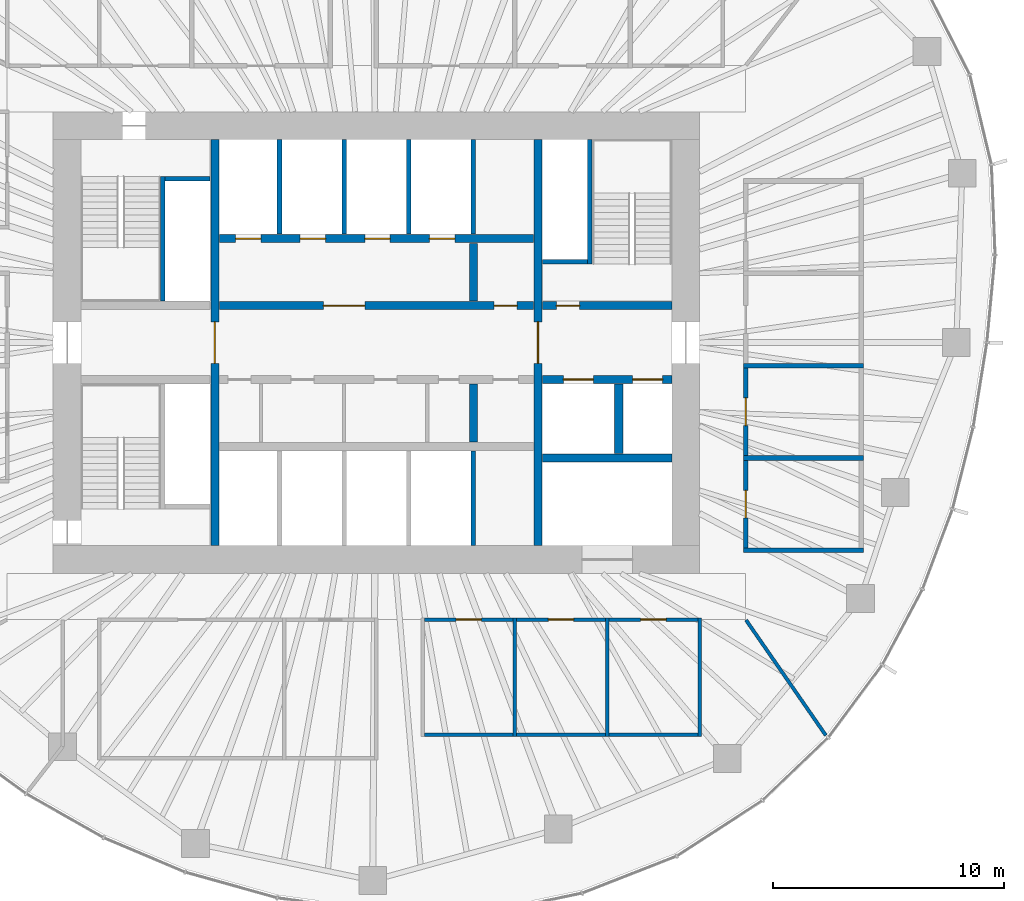
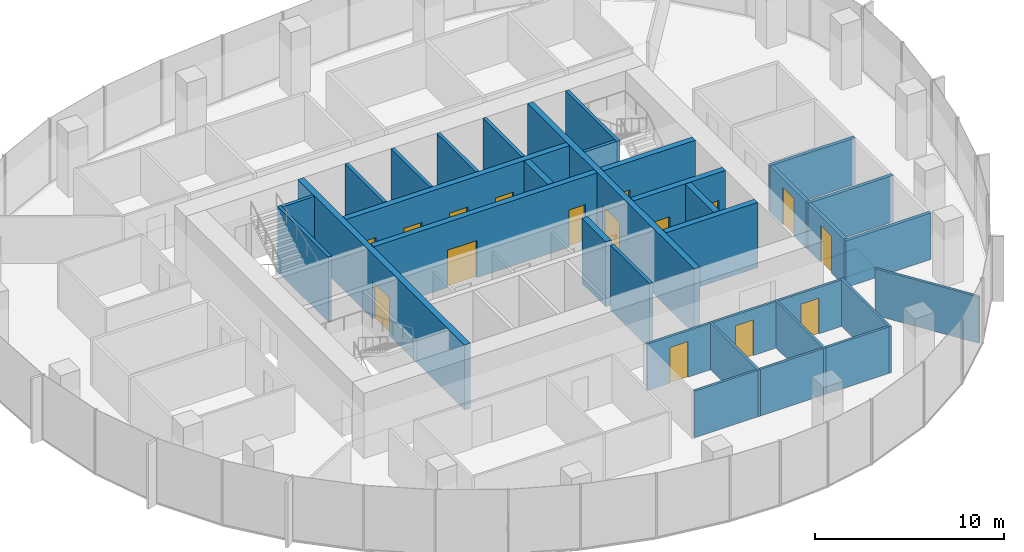
# One storey, part 9 of 12: 34 walls, 16 doors, 16 openings.
"""IFC4 building model written with IfcOpenShell, lengths in metres."""

from ifc_helpers import new_model, si_unit, direction, frame, frame_2d, origin, place, context, subcontext, project, spatial, rectangle, extrude, material, layer, layer_set, type_object, element, fill, save


model = new_model("IFC4")

# Units and contexts
model_context = context("Model", 3, precision=1e-05, world=origin(), true_north=direction((0.0, 1.0)))
body_context = subcontext(model_context, "Body", "Model", "MODEL_VIEW")
ifc_project = project(units=[si_unit("LENGTHUNIT", "METRE"), si_unit("AREAUNIT", "SQUARE_METRE"), si_unit("VOLUMEUNIT", "CUBIC_METRE"), si_unit("PLANEANGLEUNIT", "RADIAN"), si_unit("MASSUNIT", "GRAM", prefix="KILO")], contexts=[model_context])

# Site, building, storey
site_placement = place(None, origin())
site = spatial("IfcSite", under=ifc_project, at=site_placement, CompositionType="ELEMENT")
building_placement = place(site_placement, origin())
building = spatial("IfcBuilding", under=site, at=building_placement, Name="Ghaith Harvest Tower", CompositionType="ELEMENT")
storey_placement = place(building_placement, frame((0.0, 0.0, 236.800048828125)))
storey = spatial("IfcBuildingStorey", under=building, at=storey_placement, Name="L52", CompositionType="ELEMENT", Elevation=236.800048828125)

# Walls
ifc_material_1 = material(Name="Twin-stud gypsum board, acoustic", Category="gypsum")
ifc_layer_1 = layer(ifc_material_1, 0.199951171875)
ifc_layer_set_1 = layer_set([ifc_layer_1], Name="ACOUSTIC PARTITION 200")
wall_type_1 = type_object("IfcWallType", Name="ACOUSTIC PARTITION 200", PredefinedType="PARTITIONING", material=ifc_layer_set_1)
for number, where, z_axis, x_axis, name in (
    (1, (15.89990234375, -9.0, 0.0), (0.0, 0.0, 1.0), (1.0, 0.0, 0.0), "Partition L52 row E5 cross wall 1"),
    (2, (15.89990234375, -5.0, 0.0), (0.0, 0.0, 1.0), (1.0, 0.0, 0.0), "Partition L52 row E5 cross wall 2"),
    (3, (15.89990234375, -1.0, 0.0), (0.0, 0.0, 1.0), (1.0, 0.0, 0.0), "Partition L52 row E5 cross wall 3"),
):
    element("IfcWall", number, at=place(storey_placement, frame(where, z_axis=z_axis, x_axis=x_axis)), inside=storey, type_object=wall_type_1, Name=name, PredefinedType="PARTITIONING", context=body_context, shape_type="SweptSolid", body=[
        extrude(rectangle(XDim=5.2001953125, YDim=0.199951171875, at=frame_2d((2.60009765625, 0.0))), origin(), (0.0, 0.0, 1.0), 3.0),
    ])

# Wall, opening, door
wall_1_placement = place(storey_placement, frame((16.0, -8.89990234375, 0.0), z_axis=(0.0, 0.0, 1.0), x_axis=(0.0, 1.0, 0.0)))
wall_1 = element("IfcWall", 4, at=wall_1_placement, inside=storey, type_object=wall_type_1, Name="Partition L52-12", PredefinedType="PARTITIONING", context=body_context, shape_type="SweptSolid", body=[
    extrude(rectangle(XDim=3.7998046875, YDim=0.199951171875, at=frame_2d((1.89990234375, 0.0))), origin(), (0.0, 0.0, 1.0), 3.0),
])
opening_1_placement = place(wall_1_placement, frame((1.300048828125, 0.0, 0.0)))
opening_1 = element("IfcOpeningElement", 5, at=opening_1_placement, cuts=wall_1, Name="Opening 52-033", PredefinedType="OPENING", context=body_context, shape_type="SweptSolid", body=[
    extrude(rectangle(XDim=1.199951171875, YDim=2.39990234375, at=frame_2d((0.60009765625, 1.199951171875))), frame((0.0, 0.10986328125, 0.0), z_axis=(0.0, -1.0, 0.0), x_axis=(1.0, 0.0, 0.0)), (0.0, 0.0, 1.0), 0.219970703125),
])
ifc_material_2 = material(Name="Timber door", Category="wood")
door_type_1 = type_object("IfcDoorType", Name="D11 GLAZED 1200x2400", OperationType="SINGLE_SWING_LEFT", PredefinedType="DOOR", material=ifc_material_2)
door_1_placement = place(opening_1_placement, origin())
door_1 = element("IfcDoor", 6, at=door_1_placement, inside=storey, type_object=door_type_1, Name="Meeting room door", OperationType="SINGLE_SWING_LEFT", OverallHeight=2.39990234375, OverallWidth=1.199951171875, PredefinedType="DOOR", context=body_context, shape_type="SweptSolid", body=[
    extrude(rectangle(XDim=1.199951171875, YDim=2.39990234375, at=frame_2d((0.60009765625, 1.199951171875))), frame((0.0, 0.02490234375, 0.0), z_axis=(0.0, -1.0, 0.0), x_axis=(1.0, 0.0, 0.0)), (0.0, 0.0, 1.0), 0.050048828125),
])
fill(opening_1, door_1)

wall_2_placement = place(storey_placement, frame((16.0, -4.89990234375, 0.0), z_axis=(0.0, 0.0, 1.0), x_axis=(0.0, 1.0, 0.0)))
wall_2 = element("IfcWall", 7, at=wall_2_placement, inside=storey, type_object=wall_type_1, Name="Partition L52-13", PredefinedType="PARTITIONING", context=body_context, shape_type="SweptSolid", body=[
    extrude(rectangle(XDim=3.7998046875, YDim=0.199951171875, at=frame_2d((1.89990234375, 0.0))), origin(), (0.0, 0.0, 1.0), 3.0),
])
opening_2_placement = place(wall_2_placement, frame((1.300048828125, 0.0, 0.0)))
opening_2 = element("IfcOpeningElement", 8, at=opening_2_placement, cuts=wall_2, Name="Opening 52-034", PredefinedType="OPENING", context=body_context, shape_type="SweptSolid", body=[
    extrude(rectangle(XDim=1.199951171875, YDim=2.39990234375, at=frame_2d((0.60009765625, 1.199951171875))), frame((0.0, 0.10986328125, 0.0), z_axis=(0.0, -1.0, 0.0), x_axis=(1.0, 0.0, 0.0)), (0.0, 0.0, 1.0), 0.219970703125),
])
door_2_placement = place(opening_2_placement, origin())
door_2 = element("IfcDoor", 9, at=door_2_placement, inside=storey, type_object=door_type_1, Name="Meeting room door", OperationType="SINGLE_SWING_LEFT", OverallHeight=2.39990234375, OverallWidth=1.199951171875, PredefinedType="DOOR", context=body_context, shape_type="SweptSolid", body=[
    extrude(rectangle(XDim=1.199951171875, YDim=2.39990234375, at=frame_2d((0.60009765625, 1.199951171875))), frame((0.0, 0.02490234375, 0.0), z_axis=(0.0, -1.0, 0.0), x_axis=(1.0, 0.0, 0.0)), (0.0, 0.0, 1.0), 0.050048828125),
])
fill(opening_2, door_2)

# Walls
ifc_material_3 = material(Name="Concrete blockwork, 2-hour", Category="masonry")
ifc_layer_2 = layer(ifc_material_3, 0.199951171875)
ifc_layer_set_2 = layer_set([ifc_layer_2], Name="LIFT SHAFT WALL 200")
wall_type_2 = type_object("IfcWallType", Name="LIFT SHAFT WALL 200", PredefinedType="PARTITIONING", material=ifc_layer_set_2)
for number, where, z_axis, x_axis, name in (
    (10, (-4.199951171875, 4.699951171875, 0.0), (0.0, 0.0, 1.0), (0.0, 1.0, 0.0), "Lift shaft wall L52"),
    (11, (-1.39990234375, 4.699951171875, 0.0), (0.0, 0.0, 1.0), (0.0, 1.0, 0.0), "Lift shaft wall L52"),
    (12, (1.39990234375, 4.699951171875, 0.0), (0.0, 0.0, 1.0), (0.0, 1.0, 0.0), "Lift shaft wall L52"),
    (13, (4.199951171875, 4.699951171875, 0.0), (0.0, 0.0, 1.0), (0.0, 1.0, 0.0), "Lift shaft wall L52"),
    (14, (4.199951171875, -4.699951171875, 0.0), (0.0, 0.0, 1.0), (0.0, -1.0, 0.0), "Lift shaft wall L52"),
):
    element("IfcWall", number, at=place(storey_placement, frame(where, z_axis=z_axis, x_axis=x_axis)), inside=storey, type_object=wall_type_2, Name=name, PredefinedType="PARTITIONING", context=body_context, shape_type="SweptSolid", body=[
        extrude(rectangle(XDim=4.10009765625, YDim=0.199951171875, at=frame_2d((2.050048828125, 0.0))), origin(), (0.0, 0.0, 1.0), 4.199951171875),
    ])
ifc_material_4 = material(Name="Gypsum board on steel studs", Category="steel")
ifc_layer_3 = layer(ifc_material_4, 0.14990234375)
ifc_layer_set_3 = layer_set([ifc_layer_3], Name="PARTITION 150")
wall_type_3 = type_object("IfcWallType", Name="PARTITION 150", PredefinedType="PARTITIONING", material=ifc_layer_set_3)
for number, where, z_axis, x_axis, name in (
    (15, (6.0, -11.925048828125, 0.0), (0.0, 0.0, 1.0), (0.0, -1.0, 0.0), "Partition L52 row S2 cross wall 2"),
    (16, (10.0, -11.925048828125, 0.0), (0.0, 0.0, 1.0), (0.0, -1.0, 0.0), "Partition L52 row S2 cross wall 3"),
    (17, (14.0, -11.925048828125, 0.0), (0.0, 0.0, 1.0), (0.0, -1.0, 0.0), "Partition L52 row S2 cross wall 4"),
):
    element("IfcWall", number, at=place(storey_placement, frame(where, z_axis=z_axis, x_axis=x_axis)), inside=storey, type_object=wall_type_3, Name=name, PredefinedType="PARTITIONING", context=body_context, shape_type="SweptSolid", body=[
        extrude(rectangle(XDim=5.14990234375, YDim=0.14990234375, at=frame_2d((2.574951171875, 0.0))), origin(), (0.0, 0.0, 1.0), 3.0),
    ])

# Wall, opening, door
wall_3_placement = place(storey_placement, frame((2.074951171875, -12.0, 0.0), z_axis=(0.0, 0.0, 1.0), x_axis=(1.0, 0.0, 0.0)))
wall_3 = element("IfcWall", 18, at=wall_3_placement, inside=storey, type_object=wall_type_3, Name="Partition L52-03", PredefinedType="PARTITIONING", context=body_context, shape_type="SweptSolid", body=[
    extrude(rectangle(XDim=3.85009765625, YDim=0.14990234375, at=frame_2d((1.925048828125, 0.0))), origin(), (0.0, 0.0, 1.0), 3.0),
])
opening_3_placement = place(wall_3_placement, frame((1.375, 0.0, 0.0)))
opening_3 = element("IfcOpeningElement", 19, at=opening_3_placement, cuts=wall_3, Name="Opening 52-024", PredefinedType="OPENING", context=body_context, shape_type="SweptSolid", body=[
    extrude(rectangle(XDim=1.10009765625, YDim=2.300048828125, at=frame_2d((0.550048828125, 1.14990234375))), frame((0.0, 0.0849609375, 0.0), z_axis=(0.0, -1.0, 0.0), x_axis=(1.0, 0.0, 0.0)), (0.0, 0.0, 1.0), 0.169921875),
])
ifc_material_5 = material(Name="Timber-framed glazed door", Category="wood")
door_type_2 = type_object("IfcDoorType", Name="D12 GLAZED OFFICE 1100x2300", OperationType="SINGLE_SWING_LEFT", PredefinedType="DOOR", material=ifc_material_5)
door_3_placement = place(opening_3_placement, origin())
door_3 = element("IfcDoor", 20, at=door_3_placement, inside=storey, type_object=door_type_2, Name="Office door", OperationType="SINGLE_SWING_LEFT", OverallHeight=2.300048828125, OverallWidth=1.10009765625, PredefinedType="DOOR", context=body_context, shape_type="SweptSolid", body=[
    extrude(rectangle(XDim=1.10009765625, YDim=2.300048828125, at=frame_2d((0.550048828125, 1.14990234375))), frame((0.0, 0.02490234375, 0.0), z_axis=(0.0, -1.0, 0.0), x_axis=(1.0, 0.0, 0.0)), (0.0, 0.0, 1.0), 0.050048828125),
])
fill(opening_3, door_3)

# Wall
wall_4_placement = place(storey_placement, frame((2.074951171875, -17.0, 0.0), z_axis=(0.0, 0.0, 1.0), x_axis=(1.0, 0.0, 0.0)))
element("IfcWall", 21, at=wall_4_placement, inside=storey, type_object=wall_type_3, Name="Partition L52-03", PredefinedType="PARTITIONING", context=body_context, shape_type="SweptSolid", body=[
    extrude(rectangle(XDim=3.85009765625, YDim=0.14990234375, at=frame_2d((1.925048828125, 0.0))), origin(), (0.0, 0.0, 1.0), 3.0),
])

# Wall, opening, door
wall_5_placement = place(storey_placement, frame((6.074951171875, -12.0, 0.0), z_axis=(0.0, 0.0, 1.0), x_axis=(1.0, 0.0, 0.0)))
wall_5 = element("IfcWall", 22, at=wall_5_placement, inside=storey, type_object=wall_type_3, Name="Partition L52-04", PredefinedType="PARTITIONING", context=body_context, shape_type="SweptSolid", body=[
    extrude(rectangle(XDim=3.85009765625, YDim=0.14990234375, at=frame_2d((1.925048828125, 0.0))), origin(), (0.0, 0.0, 1.0), 3.0),
])
opening_4_placement = place(wall_5_placement, frame((1.375, 0.0, 0.0)))
opening_4 = element("IfcOpeningElement", 23, at=opening_4_placement, cuts=wall_5, Name="Opening 52-025", PredefinedType="OPENING", context=body_context, shape_type="SweptSolid", body=[
    extrude(rectangle(XDim=1.10009765625, YDim=2.300048828125, at=frame_2d((0.550048828125, 1.14990234375))), frame((0.0, 0.0849609375, 0.0), z_axis=(0.0, -1.0, 0.0), x_axis=(1.0, 0.0, 0.0)), (0.0, 0.0, 1.0), 0.169921875),
])
door_4_placement = place(opening_4_placement, origin())
door_4 = element("IfcDoor", 24, at=door_4_placement, inside=storey, type_object=door_type_2, Name="Office door", OperationType="SINGLE_SWING_LEFT", OverallHeight=2.300048828125, OverallWidth=1.10009765625, PredefinedType="DOOR", context=body_context, shape_type="SweptSolid", body=[
    extrude(rectangle(XDim=1.10009765625, YDim=2.300048828125, at=frame_2d((0.550048828125, 1.14990234375))), frame((0.0, 0.02490234375, 0.0), z_axis=(0.0, -1.0, 0.0), x_axis=(1.0, 0.0, 0.0)), (0.0, 0.0, 1.0), 0.050048828125),
])
fill(opening_4, door_4)

# Wall
wall_6_placement = place(storey_placement, frame((6.074951171875, -17.0, 0.0), z_axis=(0.0, 0.0, 1.0), x_axis=(1.0, 0.0, 0.0)))
element("IfcWall", 25, at=wall_6_placement, inside=storey, type_object=wall_type_3, Name="Partition L52-04", PredefinedType="PARTITIONING", context=body_context, shape_type="SweptSolid", body=[
    extrude(rectangle(XDim=3.85009765625, YDim=0.14990234375, at=frame_2d((1.925048828125, 0.0))), origin(), (0.0, 0.0, 1.0), 3.0),
])

# Wall, opening, door
wall_7_placement = place(storey_placement, frame((10.074951171875, -12.0, 0.0), z_axis=(0.0, 0.0, 1.0), x_axis=(1.0, 0.0, 0.0)))
wall_7 = element("IfcWall", 26, at=wall_7_placement, inside=storey, type_object=wall_type_3, Name="Partition L52-05", PredefinedType="PARTITIONING", context=body_context, shape_type="SweptSolid", body=[
    extrude(rectangle(XDim=3.85009765625, YDim=0.14990234375, at=frame_2d((1.925048828125, 0.0))), origin(), (0.0, 0.0, 1.0), 3.0),
])
opening_5_placement = place(wall_7_placement, frame((1.375, 0.0, 0.0)))
opening_5 = element("IfcOpeningElement", 27, at=opening_5_placement, cuts=wall_7, Name="Opening 52-026", PredefinedType="OPENING", context=body_context, shape_type="SweptSolid", body=[
    extrude(rectangle(XDim=1.10009765625, YDim=2.300048828125, at=frame_2d((0.550048828125, 1.14990234375))), frame((0.0, 0.0849609375, 0.0), z_axis=(0.0, -1.0, 0.0), x_axis=(1.0, 0.0, 0.0)), (0.0, 0.0, 1.0), 0.169921875),
])
door_5_placement = place(opening_5_placement, origin())
door_5 = element("IfcDoor", 28, at=door_5_placement, inside=storey, type_object=door_type_2, Name="Office door", OperationType="SINGLE_SWING_LEFT", OverallHeight=2.300048828125, OverallWidth=1.10009765625, PredefinedType="DOOR", context=body_context, shape_type="SweptSolid", body=[
    extrude(rectangle(XDim=1.10009765625, YDim=2.300048828125, at=frame_2d((0.550048828125, 1.14990234375))), frame((0.0, 0.02490234375, 0.0), z_axis=(0.0, -1.0, 0.0), x_axis=(1.0, 0.0, 0.0)), (0.0, 0.0, 1.0), 0.050048828125),
])
fill(opening_5, door_5)

# Walls
wall_8_placement = place(storey_placement, frame((10.074951171875, -17.0, 0.0), z_axis=(0.0, 0.0, 1.0), x_axis=(1.0, 0.0, 0.0)))
element("IfcWall", 29, at=wall_8_placement, inside=storey, type_object=wall_type_3, Name="Partition L52-05", PredefinedType="PARTITIONING", context=body_context, shape_type="SweptSolid", body=[
    extrude(rectangle(XDim=3.85009765625, YDim=0.14990234375, at=frame_2d((1.925048828125, 0.0))), origin(), (0.0, 0.0, 1.0), 3.0),
])
wall_9_placement = place(storey_placement, frame((16.011474609375, -12.016357421875, 0.0), z_axis=(0.0, 0.0, 1.0), x_axis=(0.568863489071, -0.822431961199, 0.0)))
element("IfcWall", 30, at=wall_9_placement, inside=storey, type_object=wall_type_3, Name="Partition L52 zone division", PredefinedType="PARTITIONING", context=body_context, shape_type="SweptSolid", body=[
    extrude(rectangle(XDim=6.0830078125, YDim=0.14990234375, at=frame_2d((3.04150390625, 0.0))), origin(), (0.0, 0.0, 1.0), 3.0),
])

# Wall, opening, door
ifc_material_6 = material(Name="Concrete C60/75", Category="concrete")
ifc_layer_4 = layer(ifc_material_6, 0.35009765625)
ifc_layer_set_4 = layer_set([ifc_layer_4], Name="SHAFT WALL 350")
wall_type_4 = type_object("IfcWallType", Name="SHAFT WALL 350", PredefinedType="SHEAR", material=ifc_layer_set_4)
wall_10_placement = place(storey_placement, frame((-7.0, -8.800048828125, 0.0), z_axis=(0.0, 0.0, 1.0), x_axis=(0.0, 1.0, 0.0)))
wall_10 = element("IfcWall", 31, at=wall_10_placement, inside=storey, type_object=wall_type_4, Name="Shaft wall W7W L52", PredefinedType="SHEAR", context=body_context, shape_type="SweptSolid", body=[
    extrude(rectangle(XDim=17.60009765625, YDim=0.35009765625, at=frame_2d((8.800048828125, 0.0))), origin(), (0.0, 0.0, 1.0), 4.199951171875),
])
opening_6_placement = place(wall_10_placement, frame((7.89990234375, 0.0, 0.0)))
opening_6 = element("IfcOpeningElement", 32, at=opening_6_placement, cuts=wall_10, Name="Opening 52-003", PredefinedType="OPENING", context=body_context, shape_type="SweptSolid", body=[
    extrude(rectangle(XDim=1.800048828125, YDim=2.39990234375, at=frame_2d((0.89990234375, 1.199951171875))), frame((0.0, 0.18505859375, 0.0), z_axis=(0.0, -1.0, 0.0), x_axis=(1.0, 0.0, 0.0)), (0.0, 0.0, 1.0), 0.3701171875),
])
ifc_material_7 = material(Name="Steel fire door", Category="steel")
door_type_3 = type_object("IfcDoorType", Name="D4 FD90 PAIR 1800x2400", OperationType="DOUBLE_DOOR_SINGLE_SWING", PredefinedType="DOOR", material=ifc_material_7)
door_6_placement = place(opening_6_placement, origin())
door_6 = element("IfcDoor", 33, at=door_6_placement, inside=storey, type_object=door_type_3, Name="Lift lobby doors, west", OperationType="DOUBLE_DOOR_SINGLE_SWING", OverallHeight=2.39990234375, OverallWidth=1.800048828125, PredefinedType="DOOR", context=body_context, shape_type="SweptSolid", body=[
    extrude(rectangle(XDim=1.800048828125, YDim=2.39990234375, at=frame_2d((0.89990234375, 1.199951171875))), frame((0.0, 0.02490234375, 0.0), z_axis=(0.0, -1.0, 0.0), x_axis=(1.0, 0.0, 0.0)), (0.0, 0.0, 1.0), 0.050048828125),
])
fill(opening_6, door_6)

wall_11_placement = place(storey_placement, frame((7.0, -8.800048828125, 0.0), z_axis=(0.0, 0.0, 1.0), x_axis=(0.0, 1.0, 0.0)))
wall_11 = element("IfcWall", 34, at=wall_11_placement, inside=storey, type_object=wall_type_4, Name="Shaft wall W7E L52", PredefinedType="SHEAR", context=body_context, shape_type="SweptSolid", body=[
    extrude(rectangle(XDim=17.60009765625, YDim=0.35009765625, at=frame_2d((8.800048828125, 0.0))), origin(), (0.0, 0.0, 1.0), 4.199951171875),
])
opening_7_placement = place(wall_11_placement, frame((7.89990234375, 0.0, 0.0)))
opening_7 = element("IfcOpeningElement", 35, at=opening_7_placement, cuts=wall_11, Name="Opening 52-004", PredefinedType="OPENING", context=body_context, shape_type="SweptSolid", body=[
    extrude(rectangle(XDim=1.800048828125, YDim=2.39990234375, at=frame_2d((0.89990234375, 1.199951171875))), frame((0.0, 0.18505859375, 0.0), z_axis=(0.0, -1.0, 0.0), x_axis=(1.0, 0.0, 0.0)), (0.0, 0.0, 1.0), 0.3701171875),
])
door_7_placement = place(opening_7_placement, origin())
door_7 = element("IfcDoor", 36, at=door_7_placement, inside=storey, type_object=door_type_3, Name="Lift lobby doors, east", OperationType="DOUBLE_DOOR_SINGLE_SWING", OverallHeight=2.39990234375, OverallWidth=1.800048828125, PredefinedType="DOOR", context=body_context, shape_type="SweptSolid", body=[
    extrude(rectangle(XDim=1.800048828125, YDim=2.39990234375, at=frame_2d((0.89990234375, 1.199951171875))), frame((0.0, 0.02490234375, 0.0), z_axis=(0.0, -1.0, 0.0), x_axis=(1.0, 0.0, 0.0)), (0.0, 0.0, 1.0), 0.050048828125),
])
fill(opening_7, door_7)

# Wall, openings, doors
wall_12_placement = place(storey_placement, frame((-6.800048828125, 1.60009765625, 0.0), z_axis=(0.0, 0.0, 1.0), x_axis=(1.0, 0.0, 0.0)))
wall_12 = element("IfcWall", 37, at=wall_12_placement, inside=storey, type_object=wall_type_4, Name="Shaft wall LN L52", PredefinedType="SHEAR", context=body_context, shape_type="SweptSolid", body=[
    extrude(rectangle(XDim=13.60009765625, YDim=0.35009765625, at=frame_2d((6.800048828125, 0.0))), origin(), (0.0, 0.0, 1.0), 4.199951171875),
])
opening_8_placement = place(wall_12_placement, frame((11.89990234375, 0.0, 0.0)))
opening_8 = element("IfcOpeningElement", 38, at=opening_8_placement, cuts=wall_12, Name="Opening 52-012", PredefinedType="OPENING", context=body_context, shape_type="SweptSolid", body=[
    extrude(rectangle(XDim=1.0, YDim=2.39990234375, at=frame_2d((0.5, 1.199951171875))), frame((0.0, 0.18505859375, 0.0), z_axis=(0.0, -1.0, 0.0), x_axis=(1.0, 0.0, 0.0)), (0.0, 0.0, 1.0), 0.3701171875),
])
opening_9_placement = place(wall_12_placement, frame((4.5, 0.0, 0.0)))
opening_9 = element("IfcOpeningElement", 39, at=opening_9_placement, cuts=wall_12, Name="Opening 52-014", PredefinedType="OPENING", context=body_context, shape_type="SweptSolid", body=[
    extrude(rectangle(XDim=1.800048828125, YDim=2.39990234375, at=frame_2d((0.89990234375, 1.199951171875))), frame((0.0, 0.18505859375, 0.0), z_axis=(0.0, -1.0, 0.0), x_axis=(1.0, 0.0, 0.0)), (0.0, 0.0, 1.0), 0.3701171875),
])
ifc_material_8 = material(Name="Steel fire door", Category="steel")
door_type_4 = type_object("IfcDoorType", Name="D3 FD90 1000x2400", OperationType="SINGLE_SWING_LEFT", PredefinedType="DOOR", material=ifc_material_8)
door_8_placement = place(opening_8_placement, origin())
door_8 = element("IfcDoor", 40, at=door_8_placement, inside=storey, type_object=door_type_4, Name="Electrical room door", OperationType="SINGLE_SWING_RIGHT", OverallHeight=2.39990234375, OverallWidth=1.0, PredefinedType="DOOR", context=body_context, shape_type="SweptSolid", body=[
    extrude(rectangle(XDim=1.0, YDim=2.39990234375, at=frame_2d((0.5, 1.199951171875))), frame((0.0, 0.02490234375, 0.0), z_axis=(0.0, -1.0, 0.0), x_axis=(1.0, 0.0, 0.0)), (0.0, 0.0, 1.0), 0.050048828125),
])
fill(opening_8, door_8)
door_9_placement = place(opening_9_placement, origin())
door_9 = element("IfcDoor", 41, at=door_9_placement, inside=storey, type_object=door_type_3, Name="Lift lobby doors, high-rise bank", OperationType="DOUBLE_DOOR_SINGLE_SWING", OverallHeight=2.39990234375, OverallWidth=1.800048828125, PredefinedType="DOOR", context=body_context, shape_type="SweptSolid", body=[
    extrude(rectangle(XDim=1.800048828125, YDim=2.39990234375, at=frame_2d((0.89990234375, 1.199951171875))), frame((0.0, 0.02490234375, 0.0), z_axis=(0.0, -1.0, 0.0), x_axis=(1.0, 0.0, 0.0)), (0.0, 0.0, 1.0), 0.050048828125),
])
fill(opening_9, door_9)

wall_13_placement = place(storey_placement, frame((-6.800048828125, 4.5, 0.0), z_axis=(0.0, 0.0, 1.0), x_axis=(1.0, 0.0, 0.0)))
wall_13 = element("IfcWall", 42, at=wall_13_placement, inside=storey, type_object=wall_type_4, Name="Shaft wall BN L52", PredefinedType="SHEAR", context=body_context, shape_type="SweptSolid", body=[
    extrude(rectangle(XDim=13.60009765625, YDim=0.35009765625, at=frame_2d((6.800048828125, 0.0))), origin(), (0.0, 0.0, 1.0), 4.199951171875),
])
opening_10_placement = place(wall_13_placement, frame((0.699951171875, 0.0, 0.0)))
opening_10 = element("IfcOpeningElement", 43, at=opening_10_placement, cuts=wall_13, Name="Opening 52-015", PredefinedType="OPENING", context=body_context, shape_type="SweptSolid", body=[
    extrude(rectangle(XDim=1.10009765625, YDim=2.39990234375, at=frame_2d((0.550048828125, 1.199951171875))), frame((0.0, 0.18505859375, 0.0), z_axis=(0.0, -1.0, 0.0), x_axis=(1.0, 0.0, 0.0)), (0.0, 0.0, 1.0), 0.3701171875),
])
opening_11_placement = place(wall_13_placement, frame((3.5, 0.0, 0.0)))
opening_11 = element("IfcOpeningElement", 44, at=opening_11_placement, cuts=wall_13, Name="Opening 52-016", PredefinedType="OPENING", context=body_context, shape_type="SweptSolid", body=[
    extrude(rectangle(XDim=1.10009765625, YDim=2.39990234375, at=frame_2d((0.550048828125, 1.199951171875))), frame((0.0, 0.18505859375, 0.0), z_axis=(0.0, -1.0, 0.0), x_axis=(1.0, 0.0, 0.0)), (0.0, 0.0, 1.0), 0.3701171875),
])
opening_12_placement = place(wall_13_placement, frame((6.300048828125, 0.0, 0.0)))
opening_12 = element("IfcOpeningElement", 45, at=opening_12_placement, cuts=wall_13, Name="Opening 52-017", PredefinedType="OPENING", context=body_context, shape_type="SweptSolid", body=[
    extrude(rectangle(XDim=1.10009765625, YDim=2.39990234375, at=frame_2d((0.550048828125, 1.199951171875))), frame((0.0, 0.18505859375, 0.0), z_axis=(0.0, -1.0, 0.0), x_axis=(1.0, 0.0, 0.0)), (0.0, 0.0, 1.0), 0.3701171875),
])
opening_13_placement = place(wall_13_placement, frame((9.10009765625, 0.0, 0.0)))
opening_13 = element("IfcOpeningElement", 46, at=opening_13_placement, cuts=wall_13, Name="Opening 52-018", PredefinedType="OPENING", context=body_context, shape_type="SweptSolid", body=[
    extrude(rectangle(XDim=1.10009765625, YDim=2.39990234375, at=frame_2d((0.550048828125, 1.199951171875))), frame((0.0, 0.18505859375, 0.0), z_axis=(0.0, -1.0, 0.0), x_axis=(1.0, 0.0, 0.0)), (0.0, 0.0, 1.0), 0.3701171875),
])
ifc_material_9 = material(Name="Steel fire door", Category="steel")
door_type_5 = type_object("IfcDoorType", Name="LD1 LANDING 1100x2400", OperationType="DOUBLE_DOOR_SLIDING", PredefinedType="DOOR", material=ifc_material_9)
door_10_placement = place(opening_10_placement, origin())
door_10 = element("IfcDoor", 47, at=door_10_placement, inside=storey, type_object=door_type_5, Name="Landing door, lift HR1", OperationType="DOUBLE_DOOR_SLIDING", OverallHeight=2.39990234375, OverallWidth=1.10009765625, PredefinedType="DOOR", context=body_context, shape_type="SweptSolid", body=[
    extrude(rectangle(XDim=1.10009765625, YDim=2.39990234375, at=frame_2d((0.550048828125, 1.199951171875))), frame((0.0, 0.02490234375, 0.0), z_axis=(0.0, -1.0, 0.0), x_axis=(1.0, 0.0, 0.0)), (0.0, 0.0, 1.0), 0.050048828125),
])
fill(opening_10, door_10)
door_11_placement = place(opening_11_placement, origin())
door_11 = element("IfcDoor", 48, at=door_11_placement, inside=storey, type_object=door_type_5, Name="Landing door, lift HR2", OperationType="DOUBLE_DOOR_SLIDING", OverallHeight=2.39990234375, OverallWidth=1.10009765625, PredefinedType="DOOR", context=body_context, shape_type="SweptSolid", body=[
    extrude(rectangle(XDim=1.10009765625, YDim=2.39990234375, at=frame_2d((0.550048828125, 1.199951171875))), frame((0.0, 0.02490234375, 0.0), z_axis=(0.0, -1.0, 0.0), x_axis=(1.0, 0.0, 0.0)), (0.0, 0.0, 1.0), 0.050048828125),
])
fill(opening_11, door_11)
door_12_placement = place(opening_12_placement, origin())
door_12 = element("IfcDoor", 49, at=door_12_placement, inside=storey, type_object=door_type_5, Name="Landing door, lift HR3", OperationType="DOUBLE_DOOR_SLIDING", OverallHeight=2.39990234375, OverallWidth=1.10009765625, PredefinedType="DOOR", context=body_context, shape_type="SweptSolid", body=[
    extrude(rectangle(XDim=1.10009765625, YDim=2.39990234375, at=frame_2d((0.550048828125, 1.199951171875))), frame((0.0, 0.02490234375, 0.0), z_axis=(0.0, -1.0, 0.0), x_axis=(1.0, 0.0, 0.0)), (0.0, 0.0, 1.0), 0.050048828125),
])
fill(opening_12, door_12)
door_13_placement = place(opening_13_placement, origin())
door_13 = element("IfcDoor", 50, at=door_13_placement, inside=storey, type_object=door_type_5, Name="Landing door, lift HR4", OperationType="DOUBLE_DOOR_SLIDING", OverallHeight=2.39990234375, OverallWidth=1.10009765625, PredefinedType="DOOR", context=body_context, shape_type="SweptSolid", body=[
    extrude(rectangle(XDim=1.10009765625, YDim=2.39990234375, at=frame_2d((0.550048828125, 1.199951171875))), frame((0.0, 0.02490234375, 0.0), z_axis=(0.0, -1.0, 0.0), x_axis=(1.0, 0.0, 0.0)), (0.0, 0.0, 1.0), 0.050048828125),
])
fill(opening_13, door_13)

# Wall, opening, door
wall_14_placement = place(storey_placement, frame((7.199951171875, 1.60009765625, 0.0), z_axis=(0.0, 0.0, 1.0), x_axis=(1.0, 0.0, 0.0)))
wall_14 = element("IfcWall", 51, at=wall_14_placement, inside=storey, type_object=wall_type_4, Name="Shaft wall EN L52", PredefinedType="SHEAR", context=body_context, shape_type="SweptSolid", body=[
    extrude(rectangle(XDim=5.60009765625, YDim=0.35009765625, at=frame_2d((2.800048828125, 0.0))), origin(), (0.0, 0.0, 1.0), 4.199951171875),
])
opening_14_placement = place(wall_14_placement, frame((0.60009765625, 0.0, 0.0)))
opening_14 = element("IfcOpeningElement", 52, at=opening_14_placement, cuts=wall_14, Name="Opening 52-007", PredefinedType="OPENING", context=body_context, shape_type="SweptSolid", body=[
    extrude(rectangle(XDim=1.0, YDim=2.39990234375, at=frame_2d((0.5, 1.199951171875))), frame((0.0, 0.18505859375, 0.0), z_axis=(0.0, -1.0, 0.0), x_axis=(1.0, 0.0, 0.0)), (0.0, 0.0, 1.0), 0.3701171875),
])
door_14_placement = place(opening_14_placement, origin())
door_14 = element("IfcDoor", 53, at=door_14_placement, inside=storey, type_object=door_type_4, Name="Stair ST2 door", OperationType="SINGLE_SWING_LEFT", OverallHeight=2.39990234375, OverallWidth=1.0, PredefinedType="DOOR", context=body_context, shape_type="SweptSolid", body=[
    extrude(rectangle(XDim=1.0, YDim=2.39990234375, at=frame_2d((0.5, 1.199951171875))), frame((0.0, 0.02490234375, 0.0), z_axis=(0.0, -1.0, 0.0), x_axis=(1.0, 0.0, 0.0)), (0.0, 0.0, 1.0), 0.050048828125),
])
fill(opening_14, door_14)

# Wall, openings, doors
wall_15_placement = place(storey_placement, frame((7.199951171875, -1.60009765625, 0.0), z_axis=(0.0, 0.0, 1.0), x_axis=(1.0, 0.0, 0.0)))
wall_15 = element("IfcWall", 54, at=wall_15_placement, inside=storey, type_object=wall_type_4, Name="Shaft wall ES L52", PredefinedType="SHEAR", context=body_context, shape_type="SweptSolid", body=[
    extrude(rectangle(XDim=5.60009765625, YDim=0.35009765625, at=frame_2d((2.800048828125, 0.0))), origin(), (0.0, 0.0, 1.0), 4.199951171875),
])
opening_15_placement = place(wall_15_placement, frame((0.89990234375, 0.0, 0.0)))
opening_15 = element("IfcOpeningElement", 55, at=opening_15_placement, cuts=wall_15, Name="Opening 52-019", PredefinedType="OPENING", context=body_context, shape_type="SweptSolid", body=[
    extrude(rectangle(XDim=1.300048828125, YDim=2.39990234375, at=frame_2d((0.64990234375, 1.199951171875))), frame((0.0, 0.18505859375, 0.0), z_axis=(0.0, -1.0, 0.0), x_axis=(1.0, 0.0, 0.0)), (0.0, 0.0, 1.0), 0.3701171875),
])
opening_16_placement = place(wall_15_placement, frame((3.89990234375, 0.0, 0.0)))
opening_16 = element("IfcOpeningElement", 56, at=opening_16_placement, cuts=wall_15, Name="Opening 52-020", PredefinedType="OPENING", context=body_context, shape_type="SweptSolid", body=[
    extrude(rectangle(XDim=1.300048828125, YDim=2.39990234375, at=frame_2d((0.64990234375, 1.199951171875))), frame((0.0, 0.18505859375, 0.0), z_axis=(0.0, -1.0, 0.0), x_axis=(1.0, 0.0, 0.0)), (0.0, 0.0, 1.0), 0.3701171875),
])
ifc_material_10 = material(Name="Steel fire door", Category="steel")
door_type_6 = type_object("IfcDoorType", Name="LD2 LANDING 1300x2400", OperationType="DOUBLE_DOOR_SLIDING", PredefinedType="DOOR", material=ifc_material_10)
door_15_placement = place(opening_15_placement, origin())
door_15 = element("IfcDoor", 57, at=door_15_placement, inside=storey, type_object=door_type_6, Name="Landing door, fire service lift FL1", OperationType="DOUBLE_DOOR_SLIDING", OverallHeight=2.39990234375, OverallWidth=1.300048828125, PredefinedType="DOOR", context=body_context, shape_type="SweptSolid", body=[
    extrude(rectangle(XDim=1.300048828125, YDim=2.39990234375, at=frame_2d((0.64990234375, 1.199951171875))), frame((0.0, 0.02490234375, 0.0), z_axis=(0.0, -1.0, 0.0), x_axis=(1.0, 0.0, 0.0)), (0.0, 0.0, 1.0), 0.050048828125),
])
fill(opening_15, door_15)
door_16_placement = place(opening_16_placement, origin())
door_16 = element("IfcDoor", 58, at=door_16_placement, inside=storey, type_object=door_type_6, Name="Landing door, fire service lift FL2", OperationType="DOUBLE_DOOR_SLIDING", OverallHeight=2.39990234375, OverallWidth=1.300048828125, PredefinedType="DOOR", context=body_context, shape_type="SweptSolid", body=[
    extrude(rectangle(XDim=1.300048828125, YDim=2.39990234375, at=frame_2d((0.64990234375, 1.199951171875))), frame((0.0, 0.02490234375, 0.0), z_axis=(0.0, -1.0, 0.0), x_axis=(1.0, 0.0, 0.0)), (0.0, 0.0, 1.0), 0.050048828125),
])
fill(opening_16, door_16)

# Walls
wall_16_placement = place(storey_placement, frame((10.5, -4.800048828125, 0.0), z_axis=(0.0, 0.0, 1.0), x_axis=(0.0, 1.0, 0.0)))
element("IfcWall", 59, at=wall_16_placement, inside=storey, type_object=wall_type_4, Name="Shaft wall FLD L52", PredefinedType="SHEAR", context=body_context, shape_type="SweptSolid", body=[
    extrude(rectangle(XDim=3.0, YDim=0.35009765625, at=frame_2d((1.5, 0.0))), origin(), (0.0, 0.0, 1.0), 4.199951171875),
])
wall_17_placement = place(storey_placement, frame((7.199951171875, -5.0, 0.0), z_axis=(0.0, 0.0, 1.0), x_axis=(1.0, 0.0, 0.0)))
element("IfcWall", 60, at=wall_17_placement, inside=storey, type_object=wall_type_4, Name="Shaft wall FLB L52", PredefinedType="SHEAR", context=body_context, shape_type="SweptSolid", body=[
    extrude(rectangle(XDim=5.60009765625, YDim=0.35009765625, at=frame_2d((2.800048828125, 0.0))), origin(), (0.0, 0.0, 1.0), 4.199951171875),
])
for number, where, z_axis, x_axis, name in (
    (61, (4.199951171875, 1.800048828125, 0.0), (0.0, 0.0, 1.0), (0.0, 1.0, 0.0), "Shaft wall DN4 L52"),
    (62, (4.199951171875, -4.300048828125, 0.0), (0.0, 0.0, 1.0), (0.0, 1.0, 0.0), "Shaft wall DS4 L52"),
):
    element("IfcWall", number, at=place(storey_placement, frame(where, z_axis=z_axis, x_axis=x_axis)), inside=storey, type_object=wall_type_4, Name=name, PredefinedType="SHEAR", context=body_context, shape_type="SweptSolid", body=[
        extrude(rectangle(XDim=2.5, YDim=0.35009765625, at=frame_2d((1.25, 0.0))), origin(), (0.0, 0.0, 1.0), 4.199951171875),
    ])
ifc_material_11 = material(Name="Concrete C40/50", Category="concrete")
ifc_layer_5 = layer(ifc_material_11, 0.199951171875)
ifc_layer_set_5 = layer_set([ifc_layer_5], Name="STAIR SPINE WALL RC200")
wall_type_5 = type_object("IfcWallType", Name="STAIR SPINE WALL RC200", PredefinedType="SOLIDWALL", material=ifc_layer_set_5)
wall_18_placement = place(storey_placement, frame((-9.25, 7.199951171875, 0.0), z_axis=(0.0, 0.0, 1.0), x_axis=(0.0, -1.0, 0.0)))
element("IfcWall", 63, at=wall_18_placement, inside=storey, type_object=wall_type_5, Name="Stair ST1 spine wall L52", PredefinedType="SOLIDWALL", context=body_context, shape_type="SweptSolid", body=[
    extrude(rectangle(XDim=5.39990234375, YDim=0.199951171875, at=frame_2d((2.699951171875, 0.0))), origin(), (0.0, 0.0, 1.0), 4.199951171875),
])
wall_19_placement = place(storey_placement, frame((-9.14990234375, 7.10009765625, 0.0), z_axis=(0.0, 0.0, 1.0), x_axis=(1.0, 0.0, 0.0)))
element("IfcWall", 64, at=wall_19_placement, inside=storey, type_object=wall_type_5, Name="Stair ST1 spine wall return L52", PredefinedType="SOLIDWALL", context=body_context, shape_type="SweptSolid", body=[
    extrude(rectangle(XDim=1.949951171875, YDim=0.199951171875, at=frame_2d((0.97509765625, 0.0))), origin(), (0.0, 0.0, 1.0), 4.199951171875),
])
wall_20_placement = place(storey_placement, frame((9.25, 3.39990234375, 0.0), z_axis=(0.0, 0.0, 1.0), x_axis=(0.0, 1.0, 0.0)))
element("IfcWall", 65, at=wall_20_placement, inside=storey, type_object=wall_type_5, Name="Stair ST2 spine wall L52", PredefinedType="SOLIDWALL", context=body_context, shape_type="SweptSolid", body=[
    extrude(rectangle(XDim=5.400146484375, YDim=0.199951171875, at=frame_2d((2.7001953125, 0.0))), origin(), (0.0, 0.0, 1.0), 4.199951171875),
])
wall_21_placement = place(storey_placement, frame((9.14990234375, 3.5, 0.0), z_axis=(0.0, 0.0, 1.0), x_axis=(-1.0, 0.0, 0.0)))
element("IfcWall", 66, at=wall_21_placement, inside=storey, type_object=wall_type_5, Name="Stair ST2 spine wall return L52", PredefinedType="SOLIDWALL", context=body_context, shape_type="SweptSolid", body=[
    extrude(rectangle(XDim=1.949951171875, YDim=0.199951171875, at=frame_2d((0.97509765625, 0.0))), origin(), (0.0, 0.0, 1.0), 4.199951171875),
])

save(model, "model.ifc")
